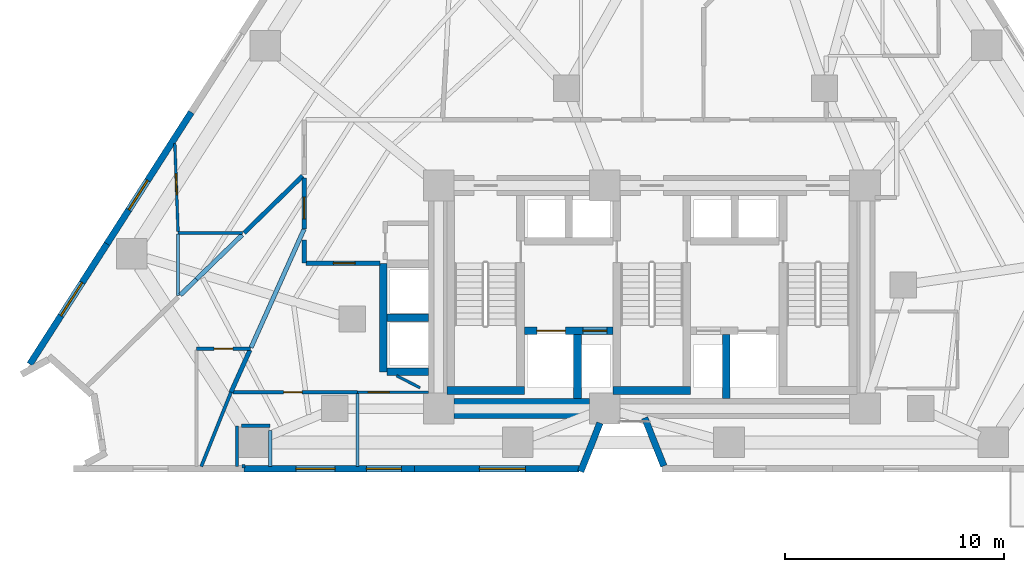
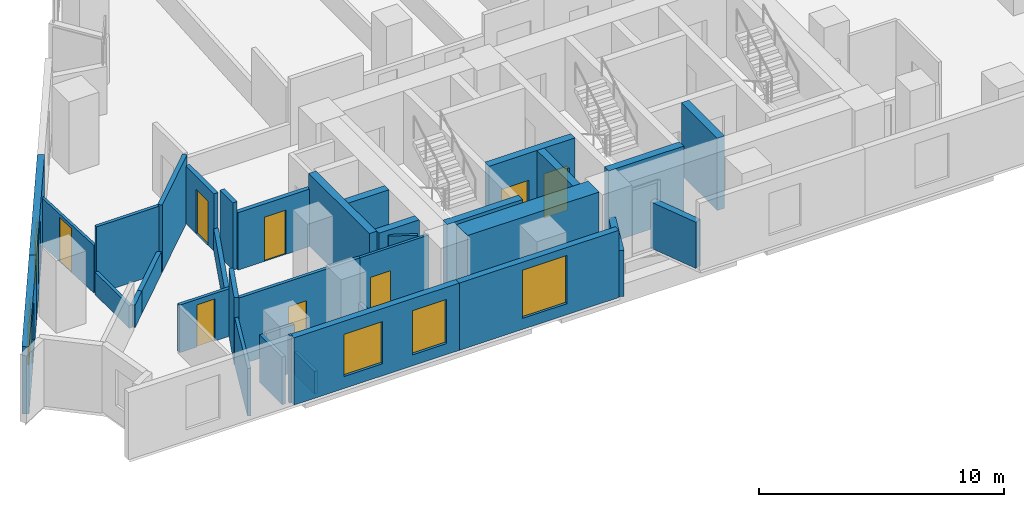
# One storey, part 6 of 12: 36 walls, 8 doors, 5 windows, 13 openings.
"""IFC4 building model written with IfcOpenShell, lengths in metres."""

import ifcopenshell
import ifcopenshell.guid

model = None  # the IFC model being written
_history = None  # IfcOwnerHistory: only IFC2X3 demands one
_inside = {}  # id of a spatial element -> (the spatial element, [elements in it])
_under = {}  # id of a project, library or spatial element -> (it, [spatial elements below it])
_declared = {}  # id of a project -> (the project, [libraries it declares])
_typed = {}  # id of a type object -> (the type object, [elements of that type])
_made_of = {}  # id of a material, layer set ... -> (it, [elements and type objects made of it])


def new_model(schema):
    """Start an empty IFC model of exactly this schema.

    Asked for "IFC4X3", IfcOpenShell would pick the latest addendum, in which some entities
    have other attributes; the version numbers below select the first issue.
    IFC2X3 requires an IfcOwnerHistory on every rooted entity: one is made here for all.
    """
    global model, _history
    if schema == "IFC4X3":
        model = ifcopenshell.file(schema_version=(4, 3, 0, 0))
    else:
        model = ifcopenshell.file(schema=schema)
    _inside.clear()
    _under.clear()
    _declared.clear()
    _typed.clear()
    _made_of.clear()
    _history = None
    if model.schema == "IFC2X3":
        org = make("IfcOrganization", Name="unknown")
        user = make(
            "IfcPersonAndOrganization",
            ThePerson=make("IfcPerson", FamilyName="unknown"),
            TheOrganization=org,
        )
        app = make(
            "IfcApplication",
            ApplicationDeveloper=org,
            Version="unknown",
            ApplicationFullName="unknown",
            ApplicationIdentifier="unknown",
        )
        _history = make(
            "IfcOwnerHistory",
            OwningUser=user,
            OwningApplication=app,
            ChangeAction="ADDED",
            CreationDate=0,
        )
    return model


def make(cls, **values):
    """One entity of the class cls with the attributes given. An attribute that is None is left unset."""
    return model.create_entity(
        cls, **{name: value for name, value in values.items() if value is not None}
    )


def rooted(cls, **values):
    """An entity with a GlobalId (a new one), such as an element, a storey or a relation."""
    return make(cls, GlobalId=ifcopenshell.guid.new(), OwnerHistory=_history, **values)


def si_unit(unit_type, name, prefix=None):
    """IfcSIUnit, for example si_unit("LENGTHUNIT", "METRE", prefix="MILLI")."""
    return make("IfcSIUnit", UnitType=unit_type, Prefix=prefix, Name=name)


def assignment(units):
    """IfcUnitAssignment: the units of a project."""
    return None if units is None else make("IfcUnitAssignment", Units=units)


def point(xyz):
    """IfcCartesianPoint."""
    return None if xyz is None else make("IfcCartesianPoint", Coordinates=xyz)


def direction(xyz):
    """IfcDirection."""
    return None if xyz is None else make("IfcDirection", DirectionRatios=xyz)


def frame(location, z_axis=None, x_axis=None):
    """IfcAxis2Placement3D, a coordinate frame: its origin and axes. An axis left out is left unset."""
    return make(
        "IfcAxis2Placement3D",
        Location=point(location),
        Axis=direction(z_axis),
        RefDirection=direction(x_axis),
    )


def frame_2d(location, x_axis=None):
    """IfcAxis2Placement2D, a coordinate frame in the plane: its origin and x axis."""
    return make(
        "IfcAxis2Placement2D", Location=point(location), RefDirection=direction(x_axis)
    )


def origin():
    """The frame at (0, 0, 0) with its axes left unset."""
    return frame((0.0, 0.0, 0.0))


def place(relative_to, where):
    """IfcLocalPlacement: puts the frame where relative to a parent placement (None: the world)."""
    return make(
        "IfcLocalPlacement", PlacementRelTo=relative_to, RelativePlacement=where
    )


def context(
    kind, dimensions, precision=None, world=None, true_north=None, identifier=None
):
    """IfcGeometricRepresentationContext, for example the 3D "Model" context."""
    return make(
        "IfcGeometricRepresentationContext",
        ContextIdentifier=identifier,
        ContextType=kind,
        CoordinateSpaceDimension=dimensions,
        Precision=precision,
        WorldCoordinateSystem=world,
        TrueNorth=true_north,
    )


def subcontext(parent, identifier, kind, view, scale=None):
    """IfcGeometricRepresentationSubContext, for example "Body" below "Model"."""
    return make(
        "IfcGeometricRepresentationSubContext",
        ContextIdentifier=identifier,
        ContextType=kind,
        ParentContext=parent,
        TargetScale=scale,
        TargetView=view,
    )


def project(units=None, contexts=None):
    """IfcProject with its units and contexts."""
    return rooted(
        "IfcProject",
        Name="project",
        RepresentationContexts=contexts,
        UnitsInContext=assignment(units),
    )


def spatial(cls, under=None, at=None, **own):
    """A site, building, storey or space (cls), placed at a placement, below another one or the project."""
    s = rooted(cls, ObjectPlacement=at, **own)
    if under is not None:
        _under.setdefault(under.id(), (under, []))[1].append(s)
    return s


def profile(cls, at=None, kind="AREA", **sizes):
    """A parametric profile (cls). Its sizes go by their IFC names, for example OverallWidth=200.0."""
    return make(cls, ProfileType=kind, Position=at, **sizes)


def rectangle(**sizes):
    """IfcRectangleProfileDef."""
    return profile("IfcRectangleProfileDef", **sizes)


def extrude(swept, where, along, depth):
    """IfcExtrudedAreaSolid: the profile swept, set in the frame where, extruded along a direction by depth."""
    return make(
        "IfcExtrudedAreaSolid",
        SweptArea=swept,
        Position=where,
        ExtrudedDirection=direction(along),
        Depth=depth,
    )


def shape(context_of_items, identifier, shape_type, items):
    """IfcShapeRepresentation: the items that make up one representation, for example the "Body"."""
    return make(
        "IfcShapeRepresentation",
        ContextOfItems=context_of_items,
        RepresentationIdentifier=identifier,
        RepresentationType=shape_type,
        Items=items,
    )


def material(Name=None, Category=None):
    """IfcMaterial."""
    return make("IfcMaterial", Name=Name, Category=Category)


def layer(
    of_material, thickness, ventilated=None, Name=None, Category=None, Priority=None
):
    """IfcMaterialLayer: one layer of a wall or slab, of a material (None: an air gap)."""
    return make(
        "IfcMaterialLayer",
        Material=of_material,
        LayerThickness=thickness,
        IsVentilated=ventilated,
        Name=Name,
        Category=Category,
        Priority=Priority,
    )


def layer_set(layers, Name=None):
    """IfcMaterialLayerSet."""
    return make("IfcMaterialLayerSet", MaterialLayers=layers, LayerSetName=Name)


def made_of(thing, what):
    """Note that an element or type object is made of a material, layer set ...; save() writes the relation."""
    if what is not None:
        _made_of.setdefault(what.id(), (what, []))[1].append(thing)
    return thing


def type_object(cls, material=None, **own):
    """A type object (cls), such as IfcWallType, which elements share."""
    return made_of(rooted(cls, **own), material)


def element(
    cls,
    number,
    at=None,
    inside=None,
    cuts=None,
    type_object=None,
    material=None,
    context=None,
    identifier="Body",
    shape_type=None,
    held_by="IfcProductDefinitionShape",
    body=None,
    shapes=None,
    **own,
):
    """One element of the class cls, such as IfcWall. Its Tag is "e" and its number.

    at: its placement. inside: the storey or other place that contains it. cuts: it is an
    opening in that element (IfcRelVoidsElement). A single representation is given by context,
    identifier, shape_type and body (its items); several are given by shapes. held_by: the class
    of the entity that holds the representations. save() writes the other relations.
    """
    e = rooted(cls, Tag="e%d" % number, ObjectPlacement=at, **own)
    if body is not None:
        shapes = [shape(context, identifier, shape_type, body)]
    if shapes is not None:
        e.Representation = make(held_by, Representations=shapes)
    if inside is not None:
        _inside.setdefault(inside.id(), (inside, []))[1].append(e)
    if cuts is not None:
        rooted(
            "IfcRelVoidsElement", RelatingBuildingElement=cuts, RelatedOpeningElement=e
        )
    if type_object is not None:
        _typed.setdefault(type_object.id(), (type_object, []))[1].append(e)
    return made_of(e, material)


def fill(opening, filler):
    """IfcRelFillsElement: the door or window that sits in an opening."""
    return rooted(
        "IfcRelFillsElement",
        RelatingOpeningElement=opening,
        RelatedBuildingElement=filler,
    )


def aggregate(whole, parts):
    """IfcRelAggregates: a whole, such as a stair, and the parts it consists of."""
    return rooted("IfcRelAggregates", RelatingObject=whole, RelatedObjects=parts)


def save(model, path):
    """Write the relations noted so far, then the file.

    IfcRelAggregates (storeys below a building ...), IfcRelContainedInSpatialStructure (elements
    in a storey), IfcRelDefinesByType, IfcRelAssociatesMaterial and IfcRelDeclares: one each for
    every whole, place, type object, material and project.
    """
    for whole, parts in _under.values():
        aggregate(whole, parts)
    for where, things in _inside.values():
        rooted(
            "IfcRelContainedInSpatialStructure",
            RelatedElements=things,
            RelatingStructure=where,
        )
    for kind, things in _typed.values():
        rooted("IfcRelDefinesByType", RelatedObjects=things, RelatingType=kind)
    for what, things in _made_of.values():
        rooted("IfcRelAssociatesMaterial", RelatedObjects=things, RelatingMaterial=what)
    for by, libraries in _declared.values():
        rooted("IfcRelDeclares", RelatingContext=by, RelatedDefinitions=libraries)
    model.write(path)


model = new_model("IFC4")

# Units and contexts
model_context = context("Model", 3, precision=1e-05, world=origin(), true_north=direction((0.0, 1.0)))
body_context = subcontext(model_context, "Body", "Model", "MODEL_VIEW")
ifc_project = project(units=[si_unit("LENGTHUNIT", "METRE"), si_unit("AREAUNIT", "SQUARE_METRE"), si_unit("VOLUMEUNIT", "CUBIC_METRE"), si_unit("PLANEANGLEUNIT", "RADIAN"), si_unit("MASSUNIT", "GRAM", prefix="KILO")], contexts=[model_context])

# Site, building, storey
site_placement = place(None, origin())
site = spatial("IfcSite", under=ifc_project, at=site_placement, CompositionType="ELEMENT")
building_placement = place(site_placement, origin())
building = spatial("IfcBuilding", under=site, at=building_placement, Name="Almagre Mirador Tower", CompositionType="ELEMENT")
storey_placement = place(building_placement, frame((0.0, 0.0, 71.39990234375)))
storey = spatial("IfcBuildingStorey", under=building, at=storey_placement, Name="L17", CompositionType="ELEMENT", Elevation=71.39990234375)

# Walls
ifc_material_1 = material(Name="Precast concrete C50/60", Category="concrete")
ifc_layer_1 = layer(ifc_material_1, 0.300048828125)
ifc_layer_set_1 = layer_set([ifc_layer_1], Name="Precast concrete C50/60")
wall_type_1 = type_object("IfcWallType", Name="WAL-EXT-300", PredefinedType="SOLIDWALL", material=ifc_layer_set_1)
wall_1_placement = place(storey_placement, frame((37.85009765625, 1.92529296875, 0.0), z_axis=(0.0, 0.0, 1.0), x_axis=(-0.36946923074, 0.92924296475, 0.0)))
element("IfcWall", 1, at=wall_1_placement, inside=storey, type_object=wall_type_1, Name="L17 expressed almagre precast frame wall 24", PredefinedType="SOLIDWALL", context=body_context, shape_type="SweptSolid", body=[
    extrude(rectangle(XDim=2.366943359375, YDim=0.300048828125, at=frame_2d((1.18359375, 0.0))), origin(), (0.0, 0.0, 1.0), 2.300048828125),
])
wall_2_placement = place(storey_placement, frame((34.930419921875, 3.887939453125, 0.0), z_axis=(0.0, 0.0, 1.0), x_axis=(-0.369538313764, -0.9292154942, 0.0)))
element("IfcWall", 2, at=wall_2_placement, inside=storey, type_object=wall_type_1, Name="L17 expressed almagre precast frame wall 25", PredefinedType="SOLIDWALL", context=body_context, shape_type="SweptSolid", body=[
    extrude(rectangle(XDim=2.386962890625, YDim=0.300048828125, at=frame_2d((1.193359375, 0.0))), origin(), (0.0, 0.0, 1.0), 2.300048828125),
])

# Wall, opening, window
wall_3_placement = place(storey_placement, frame((33.965087890625, 1.800048828125, 0.0), z_axis=(0.0, 0.0, 1.0), x_axis=(-1.0, 0.0, 0.0)))
wall_3 = element("IfcWall", 3, at=wall_3_placement, inside=storey, type_object=wall_type_1, Name="L17 expressed almagre precast frame wall 26", PredefinedType="SOLIDWALL", context=body_context, shape_type="SweptSolid", body=[
    extrude(rectangle(XDim=7.518310546875, YDim=0.300048828125, at=frame_2d((3.75927734375, 0.0))), origin(), (0.0, 0.0, 1.0), 3.35009765625),
])
opening_1_placement = place(wall_3_placement, frame((2.449951171875, 0.0, 0.550048828125)))
opening_1 = element("IfcOpeningElement", 4, at=opening_1_placement, cuts=wall_3, Name="Opening WN-05", PredefinedType="OPENING", context=body_context, shape_type="SweptSolid", body=[
    extrude(rectangle(XDim=2.10009765625, YDim=2.39990234375, at=frame_2d((1.050048828125, 1.199951171875))), frame((0.0, 0.159902, 0.0), z_axis=(0.0, -1.0, 0.0), x_axis=(1.0, 0.0, 0.0)), (0.0, 0.0, 1.0), 0.320049),
])
ifc_material_2 = material(Name="Dark solar-control laminated hurricane glass", Category="glass")
window_type_1 = type_object("IfcWindowType", Name="WIN-2100X2400", PartitioningType="DOUBLE_PANEL_VERTICAL", PredefinedType="WINDOW", material=ifc_material_2)
window_1_placement = place(opening_1_placement, origin())
window_1 = element("IfcWindow", 5, at=window_1_placement, inside=storey, type_object=window_type_1, Name="L17 recessed hurricane window L17-UB-KT", OverallHeight=2.39990234375, OverallWidth=2.10009765625, PartitioningType="SINGLE_PANEL", PredefinedType="WINDOW", context=body_context, shape_type="SweptSolid", body=[
    extrude(rectangle(XDim=2.10009765625, YDim=2.39990234375, at=frame_2d((1.050048828125, 1.199951171875))), frame((0.0, 0.030029296875, 0.0), z_axis=(0.0, -1.0, 0.0), x_axis=(1.0, 0.0, 0.0)), (0.0, 0.0, 1.0), 0.06005859375),
])
fill(opening_1, window_1)

# Wall, openings, windows
wall_4_placement = place(storey_placement, frame((26.44677734375, 1.800048828125, 0.0), z_axis=(0.0, 0.0, 1.0), x_axis=(-1.0, 0.0, 0.0)))
wall_4 = element("IfcWall", 6, at=wall_4_placement, inside=storey, type_object=wall_type_1, Name="L17 expressed almagre precast frame wall 27", PredefinedType="SOLIDWALL", context=body_context, shape_type="SweptSolid", body=[
    extrude(rectangle(XDim=7.79345703125, YDim=0.300048828125, at=frame_2d((3.896728515625, 0.0))), origin(), (0.0, 0.0, 1.0), 3.35009765625),
])
opening_2_placement = place(wall_4_placement, frame((3.625, 0.0, 0.60009765625)))
opening_2 = element("IfcOpeningElement", 7, at=opening_2_placement, cuts=wall_4, Name="Opening WN-01", PredefinedType="OPENING", context=body_context, shape_type="SweptSolid", body=[
    extrude(rectangle(XDim=1.800048828125, YDim=2.10009765625, at=frame_2d((0.89990234375, 1.050048828125))), frame((0.0, 0.159902, 0.0), z_axis=(0.0, -1.0, 0.0), x_axis=(1.0, 0.0, 0.0)), (0.0, 0.0, 1.0), 0.320049),
])
opening_3_placement = place(wall_4_placement, frame((0.60009765625, 0.0, 0.550048828125)))
opening_3 = element("IfcOpeningElement", 8, at=opening_3_placement, cuts=wall_4, Name="Opening WN-06", PredefinedType="OPENING", context=body_context, shape_type="SweptSolid", body=[
    extrude(rectangle(XDim=1.60009765625, YDim=2.199951171875, at=frame_2d((0.800048828125, 1.10009765625))), frame((0.0, 0.159902, 0.0), z_axis=(0.0, -1.0, 0.0), x_axis=(1.0, 0.0, 0.0)), (0.0, 0.0, 1.0), 0.320049),
])
ifc_material_3 = material(Name="Dark solar-control laminated hurricane glass", Category="glass")
window_type_2 = type_object("IfcWindowType", Name="WIN-1600X2200", PartitioningType="DOUBLE_PANEL_VERTICAL", PredefinedType="WINDOW", material=ifc_material_3)
window_2_placement = place(opening_3_placement, origin())
window_2 = element("IfcWindow", 9, at=window_2_placement, inside=storey, type_object=window_type_2, Name="L17 recessed hurricane window L17-UB-KT", OverallHeight=2.199951171875, OverallWidth=1.60009765625, PartitioningType="SINGLE_PANEL", PredefinedType="WINDOW", context=body_context, shape_type="SweptSolid", body=[
    extrude(rectangle(XDim=1.60009765625, YDim=2.199951171875, at=frame_2d((0.800048828125, 1.10009765625))), frame((0.0, 0.030029296875, 0.0), z_axis=(0.0, -1.0, 0.0), x_axis=(1.0, 0.0, 0.0)), (0.0, 0.0, 1.0), 0.06005859375),
])
fill(opening_3, window_2)
ifc_material_4 = material(Name="Dark solar-control laminated hurricane glass", Category="glass")
window_type_3 = type_object("IfcWindowType", Name="WIN-1800X2100", PartitioningType="DOUBLE_PANEL_VERTICAL", PredefinedType="WINDOW", material=ifc_material_4)
window_3_placement = place(opening_2_placement, origin())
window_3 = element("IfcWindow", 10, at=window_3_placement, inside=storey, type_object=window_type_3, Name="L17 recessed hurricane window L17-UB-BT", OverallHeight=2.10009765625, OverallWidth=1.800048828125, PartitioningType="SINGLE_PANEL", PredefinedType="WINDOW", context=body_context, shape_type="SweptSolid", body=[
    extrude(rectangle(XDim=1.800048828125, YDim=2.10009765625, at=frame_2d((0.89990234375, 1.050048828125))), frame((0.0, 0.030029296875, 0.0), z_axis=(0.0, -1.0, 0.0), x_axis=(1.0, 0.0, 0.0)), (0.0, 0.0, 1.0), 0.06005859375),
])
fill(opening_2, window_3)

# Wall, opening, window
wall_5_placement = place(storey_placement, frame((8.861328125, 6.577880859375, 0.0), z_axis=(0.0, 0.0, 1.0), x_axis=(0.539510604495, 0.841978804744, 0.0)))
wall_5 = element("IfcWall", 11, at=wall_5_placement, inside=storey, type_object=wall_type_1, Name="L17 expressed almagre precast frame wall 33", PredefinedType="SOLIDWALL", context=body_context, shape_type="SweptSolid", body=[
    extrude(rectangle(XDim=6.533935546875, YDim=0.300048828125, at=frame_2d((3.26708984375, 0.0))), origin(), (0.0, 0.0, 1.0), 3.35009765625),
])
opening_4_placement = place(wall_5_placement, frame((2.635009765625, 0.0, 0.60009765625)))
opening_4 = element("IfcOpeningElement", 12, at=opening_4_placement, cuts=wall_5, Name="Opening WN-01", PredefinedType="OPENING", context=body_context, shape_type="SweptSolid", body=[
    extrude(rectangle(XDim=1.800048828125, YDim=2.10009765625, at=frame_2d((0.89990234375, 1.050048828125))), frame((0.0, 0.159902, 0.0), z_axis=(0.0, -1.0, 0.0), x_axis=(1.0, 0.0, 0.0)), (0.0, 0.0, 1.0), 0.320049),
])
window_4_placement = place(opening_4_placement, origin())
window_4 = element("IfcWindow", 13, at=window_4_placement, inside=storey, type_object=window_type_3, Name="L17 recessed hurricane window L17-UE-KT", OverallHeight=2.10009765625, OverallWidth=1.800048828125, PartitioningType="SINGLE_PANEL", PredefinedType="WINDOW", context=body_context, shape_type="SweptSolid", body=[
    extrude(rectangle(XDim=1.800048828125, YDim=2.10009765625, at=frame_2d((0.89990234375, 1.050048828125))), frame((0.0, 0.030029296875, 0.0), z_axis=(0.0, -1.0, 0.0), x_axis=(1.0, 0.0, 0.0)), (0.0, 0.0, 1.0), 0.06005859375),
])
fill(opening_4, window_4)

wall_6_placement = place(storey_placement, frame((12.386474609375, 12.079345703125, 0.0), z_axis=(0.0, 0.0, 1.0), x_axis=(0.539509086386, 0.841979777493, 0.0)))
wall_6 = element("IfcWall", 14, at=wall_6_placement, inside=storey, type_object=wall_type_1, Name="L17 expressed almagre precast frame wall 34", PredefinedType="SOLIDWALL", context=body_context, shape_type="SweptSolid", body=[
    extrude(rectangle(XDim=7.14892578125, YDim=0.300048828125, at=frame_2d((3.574462890625, 0.0))), origin(), (0.0, 0.0, 1.0), 3.35009765625),
])
opening_5_placement = place(wall_6_placement, frame((1.85009765625, 0.0, 0.550048828125)))
opening_5 = element("IfcOpeningElement", 15, at=opening_5_placement, cuts=wall_6, Name="Opening WN-06", PredefinedType="OPENING", context=body_context, shape_type="SweptSolid", body=[
    extrude(rectangle(XDim=1.60009765625, YDim=2.199951171875, at=frame_2d((0.800048828125, 1.10009765625))), frame((0.0, 0.159902, 0.0), z_axis=(0.0, -1.0, 0.0), x_axis=(1.0, 0.0, 0.0)), (0.0, 0.0, 1.0), 0.320049),
])
window_5_placement = place(opening_5_placement, origin())
window_5 = element("IfcWindow", 16, at=window_5_placement, inside=storey, type_object=window_type_2, Name="L17 recessed hurricane window L17-UE-KT", OverallHeight=2.199951171875, OverallWidth=1.60009765625, PartitioningType="SINGLE_PANEL", PredefinedType="WINDOW", context=body_context, shape_type="SweptSolid", body=[
    extrude(rectangle(XDim=1.60009765625, YDim=2.199951171875, at=frame_2d((0.800048828125, 1.10009765625))), frame((0.0, 0.030029296875, 0.0), z_axis=(0.0, -1.0, 0.0), x_axis=(1.0, 0.0, 0.0)), (0.0, 0.0, 1.0), 0.06005859375),
])
fill(opening_5, window_5)

# Wall, opening, door
ifc_material_5 = material(Name="Gypsum acoustic stud partition", Category="other")
ifc_layer_2 = layer(ifc_material_5, 0.125)
ifc_layer_set_2 = layer_set([ifc_layer_2], Name="Gypsum acoustic stud partition")
wall_type_2 = type_object("IfcWallType", Name="WAL-PRT-125-UTL", PredefinedType="PARTITIONING", material=ifc_layer_set_2)
wall_7_placement = place(storey_placement, frame((23.840087890625, 5.300048828125, 0.0), z_axis=(0.0, 0.0, 1.0), x_axis=(1.0, 0.0, 0.0)))
wall_7 = element("IfcWall", 17, at=wall_7_placement, inside=storey, type_object=wall_type_2, Name="L17 interior partition 026", PredefinedType="PARTITIONING", context=body_context, shape_type="SweptSolid", body=[
    extrude(rectangle(XDim=3.260009765625, YDim=0.125, at=frame_2d((1.6298828125, 0.0))), origin(), (0.0, 0.0, 1.0), 3.35009765625),
])
opening_6_placement = place(wall_7_placement, frame((0.498291015625, 0.0, 0.0)))
opening_6 = element("IfcOpeningElement", 18, at=opening_6_placement, cuts=wall_7, Name="Opening UD-01", PredefinedType="OPENING", context=body_context, shape_type="SweptSolid", body=[
    extrude(rectangle(XDim=0.949951171875, YDim=2.199951171875, at=frame_2d((0.47509765625, 1.10009765625))), frame((0.0, 0.0725, 0.0), z_axis=(0.0, -1.0, 0.0), x_axis=(1.0, 0.0, 0.0)), (0.0, 0.0, 1.0), 0.145),
])
ifc_material_6 = material(Name="Solid American walnut timber", Category="wood")
door_type_1 = type_object("IfcDoorType", Name="DOR-UNR-950X2200", OperationType="NOTDEFINED", PredefinedType="DOOR", material=ifc_material_6)
door_1_placement = place(opening_6_placement, origin())
door_1 = element("IfcDoor", 19, at=door_1_placement, inside=storey, type_object=door_type_1, Name="DR-0584 L17 interior door L17-UB-ST to L17-UB-KT", OperationType="SINGLE_SWING_LEFT", OverallHeight=2.199951171875, OverallWidth=0.949951171875, PredefinedType="DOOR", context=body_context, shape_type="SweptSolid", body=[
    extrude(rectangle(XDim=0.949951171875, YDim=2.199951171875, at=frame_2d((0.47509765625, 1.10009765625))), frame((0.0, 0.02490234375, 0.0), z_axis=(0.0, -1.0, 0.0), x_axis=(1.0, 0.0, 0.0)), (0.0, 0.0, 1.0), 0.050048828125),
])
fill(opening_6, door_1)

wall_8_placement = place(storey_placement, frame((15.489990234375, 16.677978515625, 0.0), z_axis=(0.0, 0.0, 1.0), x_axis=(0.036674223431, -0.999327274388, 0.0)))
wall_8 = element("IfcWall", 20, at=wall_8_placement, inside=storey, type_object=wall_type_2, Name="L17 interior partition 043", PredefinedType="PARTITIONING", context=body_context, shape_type="SweptSolid", body=[
    extrude(rectangle(XDim=4.040771484375, YDim=0.125, at=frame_2d((2.0205078125, 0.0))), origin(), (0.0, 0.0, 1.0), 2.3701171875),
])
opening_7_placement = place(wall_8_placement, frame((1.393310546875, 0.0, 0.0)))
opening_7 = element("IfcOpeningElement", 21, at=opening_7_placement, cuts=wall_8, Name="Opening UD-01", PredefinedType="OPENING", context=body_context, shape_type="SweptSolid", body=[
    extrude(rectangle(XDim=0.949951171875, YDim=2.199951171875, at=frame_2d((0.47509765625, 1.10009765625))), frame((0.0, 0.0725, 0.0), z_axis=(0.0, -1.0, 0.0), x_axis=(1.0, 0.0, 0.0)), (0.0, 0.0, 1.0), 0.145),
])
door_2_placement = place(opening_7_placement, origin())
door_2 = element("IfcDoor", 22, at=door_2_placement, inside=storey, type_object=door_type_1, Name="DR-0588 L17 interior door L17-UE-ST to L17-UE-KT", OperationType="SINGLE_SWING_RIGHT", OverallHeight=2.199951171875, OverallWidth=0.949951171875, PredefinedType="DOOR", context=body_context, shape_type="SweptSolid", body=[
    extrude(rectangle(XDim=0.949951171875, YDim=2.199951171875, at=frame_2d((0.47509765625, 1.10009765625))), frame((0.0, 0.02490234375, 0.0), z_axis=(0.0, -1.0, 0.0), x_axis=(1.0, 0.0, 0.0)), (0.0, 0.0, 1.0), 0.050048828125),
])
fill(opening_7, door_2)

# Wall
wall_9_placement = place(storey_placement, frame((25.635009765625, 6.045654296875, 0.0), z_axis=(0.0, 0.0, 1.0), x_axis=(0.891197428161, -0.453615634694, 0.0)))
element("IfcWall", 23, at=wall_9_placement, inside=storey, type_object=wall_type_2, Name="L17 interior partition 090", PredefinedType="PARTITIONING", context=body_context, shape_type="SweptSolid", body=[
    extrude(rectangle(XDim=1.202880859375, YDim=0.125, at=frame_2d((0.6015625, 0.0))), origin(), (0.0, 0.0, 1.0), 3.35009765625),
])

# Wall, opening, door
ifc_material_7 = material(Name="Gypsum acoustic stud partition", Category="other")
ifc_layer_3 = layer(ifc_material_7, 0.14990234375)
ifc_layer_set_3 = layer_set([ifc_layer_3], Name="Gypsum acoustic stud partition")
wall_type_3 = type_object("IfcWallType", Name="WAL-PRT-150-STD", PredefinedType="PARTITIONING", material=ifc_layer_set_3)
wall_10_placement = place(storey_placement, frame((16.47998046875, 7.280029296875, 0.0), z_axis=(0.0, 0.0, 1.0), x_axis=(1.0, 0.0, 0.0)))
wall_10 = element("IfcWall", 24, at=wall_10_placement, inside=storey, type_object=wall_type_3, Name="L17 interior partition 016", PredefinedType="PARTITIONING", context=body_context, shape_type="SweptSolid", body=[
    extrude(rectangle(XDim=2.469970703125, YDim=0.14990234375, at=frame_2d((1.23486328125, 0.0))), origin(), (0.0, 0.0, 1.0), 2.3701171875),
])
opening_8_placement = place(wall_10_placement, frame((0.81005859375, 0.0, 0.0)))
opening_8 = element("IfcOpeningElement", 25, at=opening_8_placement, cuts=wall_10, Name="Opening UD-04", PredefinedType="OPENING", context=body_context, shape_type="SweptSolid", body=[
    extrude(rectangle(XDim=0.85009765625, YDim=2.10009765625, at=frame_2d((0.425048828125, 1.050048828125))), frame((0.0, 0.084951, 0.0), z_axis=(0.0, -1.0, 0.0), x_axis=(1.0, 0.0, 0.0)), (0.0, 0.0, 1.0), 0.169902),
])
ifc_material_8 = material(Name="Moisture-resistant oak timber", Category="wood")
door_type_2 = type_object("IfcDoorType", Name="DOR-UNR-850X2100", OperationType="NOTDEFINED", PredefinedType="DOOR", material=ifc_material_8)
door_3_placement = place(opening_8_placement, origin())
door_3 = element("IfcDoor", 26, at=door_3_placement, inside=storey, type_object=door_type_2, Name="DR-0582 L17 interior door L17-UA-ST to L17-UA-BT", OperationType="SINGLE_SWING_LEFT", OverallHeight=2.10009765625, OverallWidth=0.85009765625, PredefinedType="DOOR", context=body_context, shape_type="SweptSolid", body=[
    extrude(rectangle(XDim=0.85009765625, YDim=2.10009765625, at=frame_2d((0.425048828125, 1.050048828125))), frame((0.0, 0.02490234375, 0.0), z_axis=(0.0, -1.0, 0.0), x_axis=(1.0, 0.0, 0.0)), (0.0, 0.0, 1.0), 0.050048828125),
])
fill(opening_8, door_3)

wall_11_placement = place(storey_placement, frame((18.14501953125, 5.300048828125, 0.0), z_axis=(0.0, 0.0, 1.0), x_axis=(1.0, 0.0, 0.0)))
wall_11 = element("IfcWall", 27, at=wall_11_placement, inside=storey, type_object=wall_type_3, Name="L17 interior partition 025", PredefinedType="PARTITIONING", context=body_context, shape_type="SweptSolid", body=[
    extrude(rectangle(XDim=5.695068359375, YDim=0.14990234375, at=frame_2d((2.84765625, 0.0))), origin(), (0.0, 0.0, 1.0), 3.35009765625),
])
opening_9_placement = place(wall_11_placement, frame((2.3203125, 0.0, 0.0)))
opening_9 = element("IfcOpeningElement", 28, at=opening_9_placement, cuts=wall_11, Name="Opening UD-04", PredefinedType="OPENING", context=body_context, shape_type="SweptSolid", body=[
    extrude(rectangle(XDim=0.85009765625, YDim=2.10009765625, at=frame_2d((0.425048828125, 1.050048828125))), frame((0.0, 0.084951, 0.0), z_axis=(0.0, -1.0, 0.0), x_axis=(1.0, 0.0, 0.0)), (0.0, 0.0, 1.0), 0.169902),
])
door_4_placement = place(opening_9_placement, origin())
door_4 = element("IfcDoor", 29, at=door_4_placement, inside=storey, type_object=door_type_2, Name="DR-0585 L17 interior door L17-UB-ST to L17-UB-BT", OperationType="SINGLE_SWING_RIGHT", OverallHeight=2.10009765625, OverallWidth=0.85009765625, PredefinedType="DOOR", context=body_context, shape_type="SweptSolid", body=[
    extrude(rectangle(XDim=0.85009765625, YDim=2.10009765625, at=frame_2d((0.425048828125, 1.050048828125))), frame((0.0, 0.02490234375, 0.0), z_axis=(0.0, -1.0, 0.0), x_axis=(1.0, 0.0, 0.0)), (0.0, 0.0, 1.0), 0.050048828125),
])
fill(opening_9, door_4)

# Walls
wall_12_placement = place(storey_placement, frame((23.840087890625, 1.89990234375, 0.0), z_axis=(0.0, 0.0, 1.0), x_axis=(0.0, 1.0, 0.0)))
element("IfcWall", 30, at=wall_12_placement, inside=storey, type_object=wall_type_3, Name="L17 interior partition 027", PredefinedType="PARTITIONING", context=body_context, shape_type="SweptSolid", body=[
    extrude(rectangle(XDim=3.340087890625, YDim=0.14990234375, at=frame_2d((1.669921875, 0.0))), origin(), (0.0, 0.0, 1.0), 1.1201171875),
])
wall_13_placement = place(storey_placement, frame((15.639892578125, 12.580078125, 0.0), z_axis=(0.0, 0.0, 1.0), x_axis=(1.0, 0.0, 0.0)))
element("IfcWall", 31, at=wall_13_placement, inside=storey, type_object=wall_type_3, Name="L17 interior partition 042", PredefinedType="PARTITIONING", context=body_context, shape_type="SweptSolid", body=[
    extrude(rectangle(XDim=2.93505859375, YDim=0.14990234375, at=frame_2d((1.467529296875, 0.0))), origin(), (0.0, 0.0, 1.0), 3.35009765625),
])
wall_14_placement = place(storey_placement, frame((15.639892578125, 12.52001953125, 0.0), z_axis=(0.0, 0.0, 1.0), x_axis=(0.0, -1.0, 0.0)))
element("IfcWall", 32, at=wall_14_placement, inside=storey, type_object=wall_type_3, Name="L17 interior partition 045", PredefinedType="PARTITIONING", context=body_context, shape_type="SweptSolid", body=[
    extrude(rectangle(XDim=2.794921875, YDim=0.14990234375, at=frame_2d((1.3974609375, 0.0))), origin(), (0.0, 0.0, 1.0), 1.1201171875),
])
wall_15_placement = place(storey_placement, frame((18.7099609375, 1.908935546875, 0.0), z_axis=(0.0, 0.0, 1.0), x_axis=(-1.0, 0.0, 0.0)))
element("IfcWall", 33, at=wall_15_placement, inside=storey, type_object=wall_type_3, Name="L17 interior partition 093", PredefinedType="PARTITIONING", context=body_context, shape_type="SweptSolid", body=[
    extrude(rectangle(XDim=0.139892578125, YDim=0.14990234375, at=frame_2d((0.06982421875, 0.0))), origin(), (0.0, 0.0, 1.0), 3.35009765625),
])
wall_16_placement = place(storey_placement, frame((18.330078125, 1.908935546875, 0.0), z_axis=(0.0, 0.0, 1.0), x_axis=(0.0, 1.0, 0.0)))
element("IfcWall", 34, at=wall_16_placement, inside=storey, type_object=wall_type_3, Name="L17 interior partition 094", PredefinedType="PARTITIONING", context=body_context, shape_type="SweptSolid", body=[
    extrude(rectangle(XDim=1.85107421875, YDim=0.14990234375, at=frame_2d((0.925537109375, 0.0))), origin(), (0.0, 0.0, 1.0), 2.3701171875),
])
wall_17_placement = place(storey_placement, frame((18.544921875, 3.760009765625, 0.0), z_axis=(0.0, 0.0, 1.0), x_axis=(1.0, 0.0, 0.0)))
element("IfcWall", 35, at=wall_17_placement, inside=storey, type_object=wall_type_3, Name="L17 interior partition 095", PredefinedType="PARTITIONING", context=body_context, shape_type="SweptSolid", body=[
    extrude(rectangle(XDim=1.30517578125, YDim=0.14990234375, at=frame_2d((0.652587890625, 0.0))), origin(), (0.0, 0.0, 1.0), 2.3701171875),
])
wall_18_placement = place(storey_placement, frame((19.85009765625, 3.544921875, 0.0), z_axis=(0.0, 0.0, 1.0), x_axis=(0.0, -1.0, 0.0)))
element("IfcWall", 36, at=wall_18_placement, inside=storey, type_object=wall_type_3, Name="L17 interior partition 096", PredefinedType="PARTITIONING", context=body_context, shape_type="SweptSolid", body=[
    extrude(rectangle(XDim=1.635986328125, YDim=0.14990234375, at=frame_2d((0.81787109375, 0.0))), origin(), (0.0, 0.0, 1.0), 1.1201171875),
])
wall_19_placement = place(storey_placement, frame((18.06005859375, 5.300048828125, 0.0), z_axis=(0.0, 0.0, 1.0), x_axis=(-0.371540045928, -0.928416929117, 0.0)))
element("IfcWall", 37, at=wall_19_placement, inside=storey, type_object=wall_type_3, Name="L17 interior partition 098", PredefinedType="PARTITIONING", context=body_context, shape_type="SweptSolid", body=[
    extrude(rectangle(XDim=3.663330078125, YDim=0.14990234375, at=frame_2d((1.83154296875, 0.0))), origin(), (0.0, 0.0, 1.0), 2.3701171875),
])

# Wall, opening, door
ifc_material_9 = material(Name="Gypsum acoustic stud partition", Category="other")
ifc_layer_4 = layer(ifc_material_9, 0.199951171875)
ifc_layer_set_4 = layer_set([ifc_layer_4], Name="Gypsum acoustic stud partition")
wall_type_4 = type_object("IfcWallType", Name="WAL-PRT-200-EI60", PredefinedType="PARTITIONING", material=ifc_layer_set_4)
wall_20_placement = place(storey_placement, frame((21.39990234375, 15.090087890625, 0.0), z_axis=(0.0, 0.0, 1.0), x_axis=(0.0, -1.0, 0.0)))
wall_20 = element("IfcWall", 38, at=wall_20_placement, inside=storey, type_object=wall_type_4, Name="L17 interior partition 001", PredefinedType="PARTITIONING", context=body_context, shape_type="SweptSolid", body=[
    extrude(rectangle(XDim=2.340087890625, YDim=0.199951171875, at=frame_2d((1.169921875, 0.0))), origin(), (0.0, 0.0, 1.0), 2.860107421875),
])
opening_10_placement = place(wall_20_placement, frame((0.8671875, 0.0, 0.0)))
opening_10 = element("IfcOpeningElement", 39, at=opening_10_placement, cuts=wall_20, Name="Opening ID-01", PredefinedType="OPENING", context=body_context, shape_type="SweptSolid", body=[
    extrude(rectangle(XDim=1.0, YDim=2.199951171875, at=frame_2d((0.5, 1.10009765625))), frame((0.0, 0.110098, 0.0), z_axis=(0.0, -1.0, 0.0), x_axis=(1.0, 0.0, 0.0)), (0.0, 0.0, 1.0), 0.219951),
])
ifc_material_10 = material(Name="Fire-rated walnut timber", Category="wood")
door_type_3 = type_object("IfcDoorType", Name="DOR-FD60-1000X2200", OperationType="NOTDEFINED", PredefinedType="DOOR", material=ifc_material_10)
door_5_placement = place(opening_10_placement, origin())
door_5 = element("IfcDoor", 40, at=door_5_placement, inside=storey, type_object=door_type_3, Name="DR-0581 L17 interior door L17-RCOR to L17-UA-ST", OperationType="SINGLE_SWING_RIGHT", OverallHeight=2.199951171875, OverallWidth=1.0, PredefinedType="DOOR", context=body_context, shape_type="SweptSolid", body=[
    extrude(rectangle(XDim=1.0, YDim=2.199951171875, at=frame_2d((0.5, 1.10009765625))), frame((0.0, 0.02490234375, 0.0), z_axis=(0.0, -1.0, 0.0), x_axis=(1.0, 0.0, 0.0)), (0.0, 0.0, 1.0), 0.050048828125),
])
fill(opening_10, door_5)

# Wall
wall_21_placement = place(storey_placement, frame((21.39990234375, 12.2607421875, 0.0), z_axis=(0.0, 0.0, 1.0), x_axis=(0.0, -1.0, 0.0)))
element("IfcWall", 41, at=wall_21_placement, inside=storey, type_object=wall_type_4, Name="L17 interior partition 002", PredefinedType="PARTITIONING", context=body_context, shape_type="SweptSolid", body=[
    extrude(rectangle(XDim=1.060791015625, YDim=0.199951171875, at=frame_2d((0.5302734375, 0.0))), origin(), (0.0, 0.0, 1.0), 3.35009765625),
])

# Wall, opening, door
wall_22_placement = place(storey_placement, frame((21.485107421875, 11.199951171875, 0.0), z_axis=(0.0, 0.0, 1.0), x_axis=(1.0, 0.0, 0.0)))
wall_22 = element("IfcWall", 42, at=wall_22_placement, inside=storey, type_object=wall_type_4, Name="L17 interior partition 003", PredefinedType="PARTITIONING", context=body_context, shape_type="SweptSolid", body=[
    extrude(rectangle(XDim=3.384033203125, YDim=0.199951171875, at=frame_2d((1.69189453125, 0.0))), origin(), (0.0, 0.0, 1.0), 2.860107421875),
])
opening_11_placement = place(wall_22_placement, frame((1.249755859375, 0.0, 0.0)))
opening_11 = element("IfcOpeningElement", 43, at=opening_11_placement, cuts=wall_22, Name="Opening ID-01", PredefinedType="OPENING", context=body_context, shape_type="SweptSolid", body=[
    extrude(rectangle(XDim=1.0, YDim=2.199951171875, at=frame_2d((0.5, 1.10009765625))), frame((0.0, 0.110098, 0.0), z_axis=(0.0, -1.0, 0.0), x_axis=(1.0, 0.0, 0.0)), (0.0, 0.0, 1.0), 0.219951),
])
door_6_placement = place(opening_11_placement, origin())
door_6 = element("IfcDoor", 44, at=door_6_placement, inside=storey, type_object=door_type_3, Name="DR-0583 L17 interior door L17-RCOR to L17-UB-ST", OperationType="SINGLE_SWING_RIGHT", OverallHeight=2.199951171875, OverallWidth=1.0, PredefinedType="DOOR", context=body_context, shape_type="SweptSolid", body=[
    extrude(rectangle(XDim=1.0, YDim=2.199951171875, at=frame_2d((0.5, 1.10009765625))), frame((0.0, 0.02490234375, 0.0), z_axis=(0.0, -1.0, 0.0), x_axis=(1.0, 0.0, 0.0)), (0.0, 0.0, 1.0), 0.050048828125),
])
fill(opening_11, door_6)

# Walls
wall_23_placement = place(storey_placement, frame((18.974609375, 7.334716796875, 0.0), z_axis=(0.0, 0.0, 1.0), x_axis=(0.408740443591, 0.912650672367, 0.0)))
element("IfcWall", 45, at=wall_23_placement, inside=storey, type_object=wall_type_4, Name="L17 interior partition 018", PredefinedType="PARTITIONING", context=body_context, shape_type="SweptSolid", body=[
    extrude(rectangle(XDim=5.93359375, YDim=0.199951171875, at=frame_2d((2.966796875, 0.0))), origin(), (0.0, 0.0, 1.0), 1.1201171875),
])
wall_24_placement = place(storey_placement, frame((21.339111328125, 15.190673828125, 0.0), z_axis=(0.0, 0.0, 1.0), x_axis=(-0.716217041319, -0.697877603684, 0.0)))
element("IfcWall", 46, at=wall_24_placement, inside=storey, type_object=wall_type_4, Name="L17 interior partition 019", PredefinedType="PARTITIONING", context=body_context, shape_type="SweptSolid", body=[
    extrude(rectangle(XDim=3.74072265625, YDim=0.199951171875, at=frame_2d((1.870361328125, 0.0))), origin(), (0.0, 0.0, 1.0), 3.35009765625),
])
wall_25_placement = place(storey_placement, frame((18.563232421875, 12.48583984375, 0.0), z_axis=(0.0, 0.0, 1.0), x_axis=(-0.716909764219, -0.697165970173, 0.0)))
element("IfcWall", 47, at=wall_25_placement, inside=storey, type_object=wall_type_4, Name="L17 interior partition 020", PredefinedType="PARTITIONING", context=body_context, shape_type="SweptSolid", body=[
    extrude(rectangle(XDim=2.90576171875, YDim=0.199951171875, at=frame_2d((1.452880859375, 0.0))), origin(), (0.0, 0.0, 1.0), 1.1201171875),
])
wall_26_placement = place(storey_placement, frame((18.06005859375, 5.300048828125, 0.0), z_axis=(0.0, 0.0, 1.0), x_axis=(0.409912552127, 0.912124826769, 0.0)))
element("IfcWall", 48, at=wall_26_placement, inside=storey, type_object=wall_type_4, Name="L17 interior partition 022", PredefinedType="PARTITIONING", context=body_context, shape_type="SweptSolid", body=[
    extrude(rectangle(XDim=2.11083984375, YDim=0.199951171875, at=frame_2d((1.055419921875, 0.0))), origin(), (0.0, 0.0, 1.0), 3.35009765625),
])
wall_27_placement = place(storey_placement, frame((16.47998046875, 10.4599609375, 0.0), z_axis=(0.0, 0.0, 1.0), x_axis=(-0.715632941053, -0.69847655199, 0.0)))
element("IfcWall", 49, at=wall_27_placement, inside=storey, type_object=wall_type_4, Name="L17 interior partition 023", PredefinedType="PARTITIONING", context=body_context, shape_type="SweptSolid", body=[
    extrude(rectangle(XDim=1.038818359375, YDim=0.199951171875, at=frame_2d((0.51953125, 0.0))), origin(), (0.0, 0.0, 1.0), 1.1201171875),
])
ifc_material_11 = material(Name="Concrete C60/75", Category="concrete")
ifc_layer_5 = layer(ifc_material_11, 0.35009765625)
ifc_layer_set_5 = layer_set([ifc_layer_5], Name="Concrete C60/75")
wall_type_5 = type_object("IfcWallType", Name="WAL-SHF-350", PredefinedType="SOLIDWALL", material=ifc_layer_set_5)
for number, where, z_axis, x_axis, name in (
    (50, (27.925048828125, 5.375, 0.0), (0.0, 0.0, 1.0), (1.0, 0.0, 0.0), "L17 shaft wall ST1-S"),
    (51, (35.52490234375, 5.375, 0.0), (0.0, 0.0, 1.0), (1.0, 0.0, 0.0), "L17 shaft wall ST2-S"),
):
    element("IfcWall", number, at=place(storey_placement, frame(where, z_axis=z_axis, x_axis=x_axis)), inside=storey, type_object=wall_type_5, Name=name, PredefinedType="SOLIDWALL", context=body_context, shape_type="SweptSolid", body=[
        extrude(rectangle(XDim=3.550048828125, YDim=0.35009765625, at=frame_2d((1.77490234375, 0.0))), origin(), (0.0, 0.0, 1.0), 3.60009765625),
    ])

# Wall, openings, doors
wall_28_placement = place(storey_placement, frame((31.47509765625, 8.10009765625, 0.0), z_axis=(0.0, 0.0, 1.0), x_axis=(1.0, 0.0, 0.0)))
wall_28 = element("IfcWall", 52, at=wall_28_placement, inside=storey, type_object=wall_type_5, Name="L17 shaft wall FSAE1-N", PredefinedType="SOLIDWALL", context=body_context, shape_type="SweptSolid", body=[
    extrude(rectangle(XDim=4.0498046875, YDim=0.35009765625, at=frame_2d((2.02490234375, 0.0))), origin(), (0.0, 0.0, 1.0), 3.60009765625),
])
opening_12_placement = place(wall_28_placement, frame((0.574951171875, 0.0, 0.0)))
opening_12 = element("IfcOpeningElement", 53, at=opening_12_placement, cuts=wall_28, Name="Opening LD-03", PredefinedType="OPENING", context=body_context, shape_type="SweptSolid", body=[
    extrude(rectangle(XDim=1.300048828125, YDim=2.25, at=frame_2d((0.64990234375, 1.125))), frame((0.0, 0.185049, 0.0), z_axis=(0.0, -1.0, 0.0), x_axis=(1.0, 0.0, 0.0)), (0.0, 0.0, 1.0), 0.370098),
])
opening_13_placement = place(wall_28_placement, frame((2.675048828125, 0.0, 0.0)))
opening_13 = element("IfcOpeningElement", 54, at=opening_13_placement, cuts=wall_28, Name="Opening LD-01", PredefinedType="OPENING", context=body_context, shape_type="SweptSolid", body=[
    extrude(rectangle(XDim=1.10009765625, YDim=2.199951171875, at=frame_2d((0.550048828125, 1.10009765625))), frame((0.0, 0.185049, 0.0), z_axis=(0.0, -1.0, 0.0), x_axis=(1.0, 0.0, 0.0)), (0.0, 0.0, 1.0), 0.370098),
])
ifc_material_12 = material(Name="Hollow stainless steel", Category="steel")
door_type_4 = type_object("IfcDoorType", Name="DOR-LD-1100X2200", OperationType="DOUBLE_DOOR_SLIDING", PredefinedType="DOOR", material=ifc_material_12)
door_7_placement = place(opening_13_placement, origin())
door_7 = element("IfcDoor", 55, at=door_7_placement, inside=storey, type_object=door_type_4, Name="DR-0593 L17 PL-L1 lift landing door", OperationType="DOUBLE_DOOR_SLIDING", OverallHeight=2.199951171875, OverallWidth=1.10009765625, PredefinedType="DOOR", context=body_context, shape_type="SweptSolid", body=[
    extrude(rectangle(XDim=1.10009765625, YDim=2.199951171875, at=frame_2d((0.550048828125, 1.10009765625))), frame((0.0, 0.02490234375, 0.0), z_axis=(0.0, -1.0, 0.0), x_axis=(1.0, 0.0, 0.0)), (0.0, 0.0, 1.0), 0.050048828125),
])
fill(opening_13, door_7)
ifc_material_13 = material(Name="Hollow stainless steel", Category="steel")
door_type_5 = type_object("IfcDoorType", Name="DOR-LD-1300X2250", OperationType="DOUBLE_DOOR_SLIDING", PredefinedType="DOOR", material=ifc_material_13)
door_8_placement = place(opening_12_placement, origin())
door_8 = element("IfcDoor", 56, at=door_8_placement, inside=storey, type_object=door_type_5, Name="DR-0591 L17 FSAE-1 lift landing door", OperationType="DOUBLE_DOOR_SLIDING", OverallHeight=2.25, OverallWidth=1.300048828125, PredefinedType="DOOR", context=body_context, shape_type="SweptSolid", body=[
    extrude(rectangle(XDim=1.300048828125, YDim=2.25, at=frame_2d((0.64990234375, 1.125))), frame((0.0, 0.02490234375, 0.0), z_axis=(0.0, -1.0, 0.0), x_axis=(1.0, 0.0, 0.0)), (0.0, 0.0, 1.0), 0.050048828125),
])
fill(opening_12, door_8)

# Walls
for number, where, z_axis, x_axis, name in (
    (57, (33.89990234375, 5.0, 0.0), (0.0, 0.0, 1.0), (0.0, 1.0, 0.0), "L17 shaft wall FSAE1-E"),
    (58, (40.699951171875, 5.0, 0.0), (0.0, 0.0, 1.0), (0.0, 1.0, 0.0), "L17 shaft wall FSAE2-W"),
):
    element("IfcWall", number, at=place(storey_placement, frame(where, z_axis=z_axis, x_axis=x_axis)), inside=storey, type_object=wall_type_5, Name=name, PredefinedType="SOLIDWALL", context=body_context, shape_type="SweptSolid", body=[
        extrude(rectangle(XDim=2.925048828125, YDim=0.35009765625, at=frame_2d((1.46240234375, 0.0))), origin(), (0.0, 0.0, 1.0), 3.60009765625),
    ])
wall_29_placement = place(storey_placement, frame((25.02490234375, 6.22509765625, 0.0), z_axis=(0.0, 0.0, 1.0), x_axis=(0.0, 1.0, 0.0)))
element("IfcWall", 59, at=wall_29_placement, inside=storey, type_object=wall_type_5, Name="L17 shaft wall OL-W", PredefinedType="SOLIDWALL", context=body_context, shape_type="SweptSolid", body=[
    extrude(rectangle(XDim=4.949951171875, YDim=0.35009765625, at=frame_2d((2.47509765625, 0.0))), origin(), (0.0, 0.0, 1.0), 3.60009765625),
])
for number, where, z_axis, x_axis, name in (
    (60, (25.199951171875, 6.22509765625, 0.0), (0.0, 0.0, 1.0), (1.0, 0.0, 0.0), "L17 shaft wall OL-S"),
    (61, (25.199951171875, 8.699951171875, 0.0), (0.0, 0.0, 1.0), (1.0, 0.0, 0.0), "L17 shaft wall OL-M"),
):
    element("IfcWall", number, at=place(storey_placement, frame(where, z_axis=z_axis, x_axis=x_axis)), inside=storey, type_object=wall_type_5, Name=name, PredefinedType="SOLIDWALL", context=body_context, shape_type="SweptSolid", body=[
        extrude(rectangle(XDim=1.900146484375, YDim=0.35009765625, at=frame_2d((0.9501953125, 0.0))), origin(), (0.0, 0.0, 1.0), 3.60009765625),
    ])
ifc_material_14 = material(Name="Concrete C70/85", Category="concrete")
ifc_layer_6 = layer(ifc_material_14, 0.89990234375)
ifc_layer_set_6 = layer_set([ifc_layer_6], Name="Concrete C70/85")
wall_type_6 = type_object("IfcWallType", Name="WAL-SHR-900", PredefinedType="SHEAR", material=ifc_layer_set_6)
wall_30_placement = place(storey_placement, frame((28.25, 4.550048828125, 0.0), z_axis=(0.0, 0.0, 1.0), x_axis=(1.0, 0.0, 0.0)))
element("IfcWall", 62, at=wall_30_placement, inside=storey, type_object=wall_type_6, Name="L17 core shear wall S1", PredefinedType="SHEAR", context=body_context, shape_type="SweptSolid", body=[
    extrude(rectangle(XDim=6.199951171875, YDim=0.89990234375, at=frame_2d((3.10009765625, 0.0))), origin(), (0.0, 0.0, 1.0), 3.60009765625),
])

save(model, "model.ifc")
